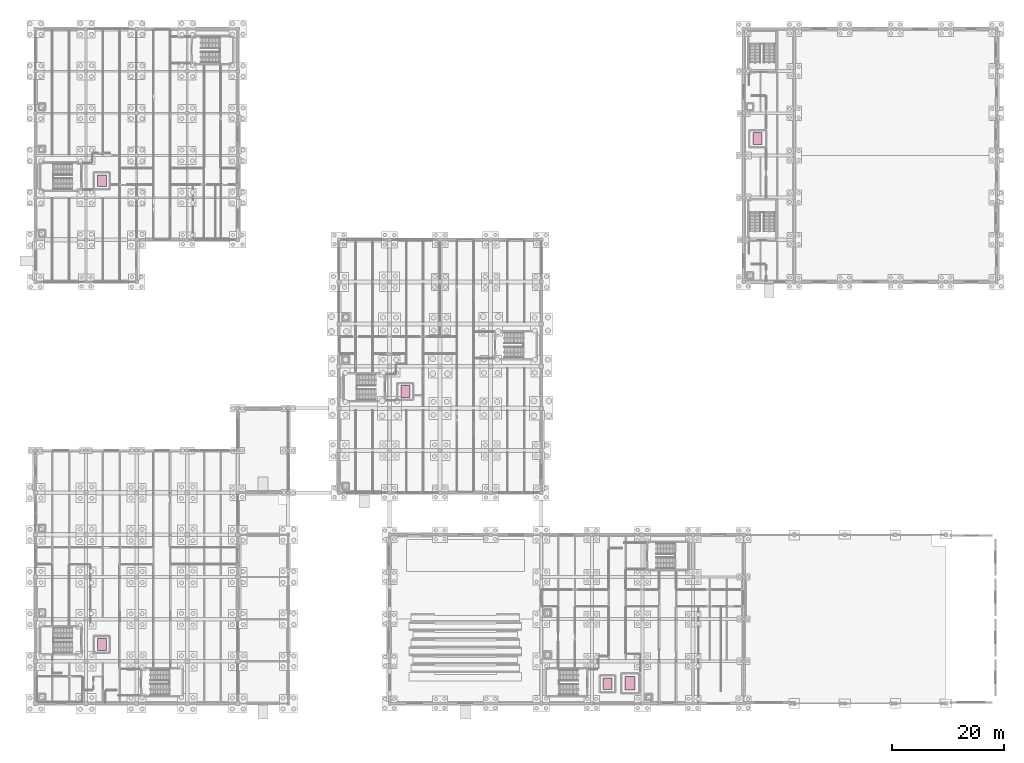
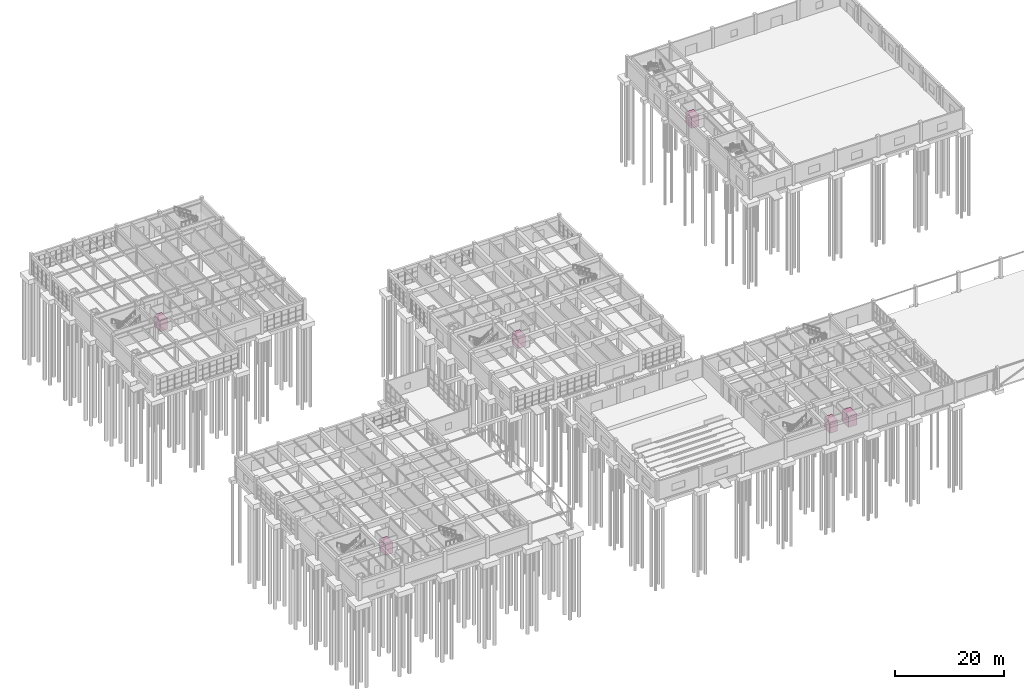
# One storey, part 93 of 93: 6 transport elements.
"""IFC4 building model written with IfcOpenShell, lengths in metres."""

import ifcopenshell
import ifcopenshell.guid

model = None  # the IFC model being written
_history = None  # IfcOwnerHistory: only IFC2X3 demands one
_inside = {}  # id of a spatial element -> (the spatial element, [elements in it])
_under = {}  # id of a project, library or spatial element -> (it, [spatial elements below it])
_declared = {}  # id of a project -> (the project, [libraries it declares])
_typed = {}  # id of a type object -> (the type object, [elements of that type])
_made_of = {}  # id of a material, layer set ... -> (it, [elements and type objects made of it])


def new_model(schema):
    """Start an empty IFC model of exactly this schema.

    Asked for "IFC4X3", IfcOpenShell would pick the latest addendum, in which some entities
    have other attributes; the version numbers below select the first issue.
    IFC2X3 requires an IfcOwnerHistory on every rooted entity: one is made here for all.
    """
    global model, _history
    if schema == "IFC4X3":
        model = ifcopenshell.file(schema_version=(4, 3, 0, 0))
    else:
        model = ifcopenshell.file(schema=schema)
    _inside.clear()
    _under.clear()
    _declared.clear()
    _typed.clear()
    _made_of.clear()
    _history = None
    if model.schema == "IFC2X3":
        org = make("IfcOrganization", Name="unknown")
        user = make(
            "IfcPersonAndOrganization",
            ThePerson=make("IfcPerson", FamilyName="unknown"),
            TheOrganization=org,
        )
        app = make(
            "IfcApplication",
            ApplicationDeveloper=org,
            Version="unknown",
            ApplicationFullName="unknown",
            ApplicationIdentifier="unknown",
        )
        _history = make(
            "IfcOwnerHistory",
            OwningUser=user,
            OwningApplication=app,
            ChangeAction="ADDED",
            CreationDate=0,
        )
    return model


def make(cls, **values):
    """One entity of the class cls with the attributes given. An attribute that is None is left unset."""
    return model.create_entity(
        cls, **{name: value for name, value in values.items() if value is not None}
    )


def rooted(cls, **values):
    """An entity with a GlobalId (a new one), such as an element, a storey or a relation."""
    return make(cls, GlobalId=ifcopenshell.guid.new(), OwnerHistory=_history, **values)


def si_unit(unit_type, name, prefix=None):
    """IfcSIUnit, for example si_unit("LENGTHUNIT", "METRE", prefix="MILLI")."""
    return make("IfcSIUnit", UnitType=unit_type, Prefix=prefix, Name=name)


def assignment(units):
    """IfcUnitAssignment: the units of a project."""
    return None if units is None else make("IfcUnitAssignment", Units=units)


def point(xyz):
    """IfcCartesianPoint."""
    return None if xyz is None else make("IfcCartesianPoint", Coordinates=xyz)


def direction(xyz):
    """IfcDirection."""
    return None if xyz is None else make("IfcDirection", DirectionRatios=xyz)


def frame(location, z_axis=None, x_axis=None):
    """IfcAxis2Placement3D, a coordinate frame: its origin and axes. An axis left out is left unset."""
    return make(
        "IfcAxis2Placement3D",
        Location=point(location),
        Axis=direction(z_axis),
        RefDirection=direction(x_axis),
    )


def frame_2d(location, x_axis=None):
    """IfcAxis2Placement2D, a coordinate frame in the plane: its origin and x axis."""
    return make(
        "IfcAxis2Placement2D", Location=point(location), RefDirection=direction(x_axis)
    )


def origin():
    """The frame at (0, 0, 0) with its axes left unset."""
    return frame((0.0, 0.0, 0.0))


def origin_2d():
    """The frame at (0, 0) in the plane with its x axis left unset."""
    return frame_2d((0.0, 0.0))


def place(relative_to, where):
    """IfcLocalPlacement: puts the frame where relative to a parent placement (None: the world)."""
    return make(
        "IfcLocalPlacement", PlacementRelTo=relative_to, RelativePlacement=where
    )


def context(
    kind, dimensions, precision=None, world=None, true_north=None, identifier=None
):
    """IfcGeometricRepresentationContext, for example the 3D "Model" context."""
    return make(
        "IfcGeometricRepresentationContext",
        ContextIdentifier=identifier,
        ContextType=kind,
        CoordinateSpaceDimension=dimensions,
        Precision=precision,
        WorldCoordinateSystem=world,
        TrueNorth=true_north,
    )


def subcontext(parent, identifier, kind, view, scale=None):
    """IfcGeometricRepresentationSubContext, for example "Body" below "Model"."""
    return make(
        "IfcGeometricRepresentationSubContext",
        ContextIdentifier=identifier,
        ContextType=kind,
        ParentContext=parent,
        TargetScale=scale,
        TargetView=view,
    )


def project(units=None, contexts=None):
    """IfcProject with its units and contexts."""
    return rooted(
        "IfcProject",
        Name="project",
        RepresentationContexts=contexts,
        UnitsInContext=assignment(units),
    )


def spatial(cls, under=None, at=None, **own):
    """A site, building, storey or space (cls), placed at a placement, below another one or the project."""
    s = rooted(cls, ObjectPlacement=at, **own)
    if under is not None:
        _under.setdefault(under.id(), (under, []))[1].append(s)
    return s


def profile(cls, at=None, kind="AREA", **sizes):
    """A parametric profile (cls). Its sizes go by their IFC names, for example OverallWidth=200.0."""
    return make(cls, ProfileType=kind, Position=at, **sizes)


def rectangle(**sizes):
    """IfcRectangleProfileDef."""
    return profile("IfcRectangleProfileDef", **sizes)


def extrude(swept, where, along, depth):
    """IfcExtrudedAreaSolid: the profile swept, set in the frame where, extruded along a direction by depth."""
    return make(
        "IfcExtrudedAreaSolid",
        SweptArea=swept,
        Position=where,
        ExtrudedDirection=direction(along),
        Depth=depth,
    )


def shape(context_of_items, identifier, shape_type, items):
    """IfcShapeRepresentation: the items that make up one representation, for example the "Body"."""
    return make(
        "IfcShapeRepresentation",
        ContextOfItems=context_of_items,
        RepresentationIdentifier=identifier,
        RepresentationType=shape_type,
        Items=items,
    )


def material(Name=None, Category=None):
    """IfcMaterial."""
    return make("IfcMaterial", Name=Name, Category=Category)


def made_of(thing, what):
    """Note that an element or type object is made of a material, layer set ...; save() writes the relation."""
    if what is not None:
        _made_of.setdefault(what.id(), (what, []))[1].append(thing)
    return thing


def type_object(cls, material=None, **own):
    """A type object (cls), such as IfcWallType, which elements share."""
    return made_of(rooted(cls, **own), material)


def element(
    cls,
    number,
    at=None,
    inside=None,
    cuts=None,
    type_object=None,
    material=None,
    context=None,
    identifier="Body",
    shape_type=None,
    held_by="IfcProductDefinitionShape",
    body=None,
    shapes=None,
    **own,
):
    """One element of the class cls, such as IfcWall. Its Tag is "e" and its number.

    at: its placement. inside: the storey or other place that contains it. cuts: it is an
    opening in that element (IfcRelVoidsElement). A single representation is given by context,
    identifier, shape_type and body (its items); several are given by shapes. held_by: the class
    of the entity that holds the representations. save() writes the other relations.
    """
    e = rooted(cls, Tag="e%d" % number, ObjectPlacement=at, **own)
    if body is not None:
        shapes = [shape(context, identifier, shape_type, body)]
    if shapes is not None:
        e.Representation = make(held_by, Representations=shapes)
    if inside is not None:
        _inside.setdefault(inside.id(), (inside, []))[1].append(e)
    if cuts is not None:
        rooted(
            "IfcRelVoidsElement", RelatingBuildingElement=cuts, RelatedOpeningElement=e
        )
    if type_object is not None:
        _typed.setdefault(type_object.id(), (type_object, []))[1].append(e)
    return made_of(e, material)


def aggregate(whole, parts):
    """IfcRelAggregates: a whole, such as a stair, and the parts it consists of."""
    return rooted("IfcRelAggregates", RelatingObject=whole, RelatedObjects=parts)


def save(model, path):
    """Write the relations noted so far, then the file.

    IfcRelAggregates (storeys below a building ...), IfcRelContainedInSpatialStructure (elements
    in a storey), IfcRelDefinesByType, IfcRelAssociatesMaterial and IfcRelDeclares: one each for
    every whole, place, type object, material and project.
    """
    for whole, parts in _under.values():
        aggregate(whole, parts)
    for where, things in _inside.values():
        rooted(
            "IfcRelContainedInSpatialStructure",
            RelatedElements=things,
            RelatingStructure=where,
        )
    for kind, things in _typed.values():
        rooted("IfcRelDefinesByType", RelatedObjects=things, RelatingType=kind)
    for what, things in _made_of.values():
        rooted("IfcRelAssociatesMaterial", RelatedObjects=things, RelatingMaterial=what)
    for by, libraries in _declared.values():
        rooted("IfcRelDeclares", RelatingContext=by, RelatedDefinitions=libraries)
    model.write(path)


model = new_model("IFC4")

# Units and contexts
model_context = context("Model", 3, precision=1e-05, world=origin(), true_north=direction((0.0, 1.0)))
body_context = subcontext(model_context, "Body", "Model", "MODEL_VIEW")
ifc_project = project(units=[si_unit("LENGTHUNIT", "METRE"), si_unit("AREAUNIT", "SQUARE_METRE"), si_unit("VOLUMEUNIT", "CUBIC_METRE"), si_unit("PLANEANGLEUNIT", "RADIAN"), si_unit("MASSUNIT", "GRAM", prefix="KILO")], contexts=[model_context])

# Site, building, storey
site_placement = place(None, origin())
site = spatial("IfcSite", under=ifc_project, at=site_placement, CompositionType="ELEMENT")
building_placement = place(site_placement, origin())
building = spatial("IfcBuilding", under=site, at=building_placement, Name="Marnridge Secondary College", CompositionType="ELEMENT")
storey_placement = place(building_placement, origin())
storey = spatial("IfcBuildingStorey", under=building, at=storey_placement, Name="L00", CompositionType="ELEMENT", Elevation=0.0)

# Transport elements
ifc_material_1 = material(Name="Brushed stainless steel Grade 350 elevator car", Category="steel")
transport_element_type_1 = type_object("IfcTransportElementType", Name="LFT-GDS-2500", PredefinedType="ELEVATOR", material=ifc_material_1)
transport_element_placement = place(storey_placement, frame((105.800048828125, 3.60009765625, 0.0), z_axis=(0.0, 0.0, 1.0), x_axis=(1.0, 0.0, 0.0)))
element("IfcTransportElement", 1, at=transport_element_placement, inside=storey, type_object=transport_element_type_1, Name="Elevator car LC-06", PredefinedType="ELEVATOR", context=body_context, shape_type="SweptSolid", body=[
    extrude(rectangle(XDim=1.800048828125, YDim=2.39990234375, at=origin_2d()), origin(), (0.0, 0.0, 1.0), 2.5),
])
ifc_material_2 = material(Name="Brushed stainless steel Grade 350 elevator car", Category="steel")
transport_element_type_2 = type_object("IfcTransportElementType", Name="LFT-PAS-1600", PredefinedType="ELEVATOR", material=ifc_material_2)
for number, where, z_axis, x_axis, name in (
    (2, (11.800048828125, 93.0, 0.0), (0.0, 0.0, 1.0), (1.0, 0.0, 0.0), "Elevator car LC-03"),
    (3, (101.800048828125, 3.5, 0.0), (0.0, 0.0, 1.0), (1.0, 0.0, 0.0), "Elevator car LC-04"),
    (4, (128.5, 100.5, 0.0), (0.0, 0.0, 1.0), (1.0, 0.0, 0.0), "Elevator car LC-05"),
):
    element("IfcTransportElement", number, at=place(storey_placement, frame(where, z_axis=z_axis, x_axis=x_axis)), inside=storey, type_object=transport_element_type_2, Name=name, PredefinedType="ELEVATOR", context=body_context, shape_type="SweptSolid", body=[
        extrude(rectangle(XDim=1.60009765625, YDim=2.10009765625, at=origin_2d()), origin(), (0.0, 0.0, 1.0), 2.5),
    ])
ifc_material_3 = material(Name="Brushed stainless steel Grade 350 elevator car", Category="steel")
transport_element_type_3 = type_object("IfcTransportElementType", Name="LFT-STR-2000", PredefinedType="ELEVATOR", material=ifc_material_3)
for number, where, z_axis, x_axis, name in (
    (5, (65.800048828125, 55.5, 0.0), (0.0, 0.0, 1.0), (1.0, 0.0, 0.0), "Elevator car LC-01"),
    (6, (11.800048828125, 10.5, 0.0), (0.0, 0.0, 1.0), (1.0, 0.0, 0.0), "Elevator car LC-02"),
):
    element("IfcTransportElement", number, at=place(storey_placement, frame(where, z_axis=z_axis, x_axis=x_axis)), inside=storey, type_object=transport_element_type_3, Name=name, PredefinedType="ELEVATOR", context=body_context, shape_type="SweptSolid", body=[
        extrude(rectangle(XDim=1.60009765625, YDim=2.10009765625, at=origin_2d()), origin(), (0.0, 0.0, 1.0), 2.5),
    ])

save(model, "model.ifc")
